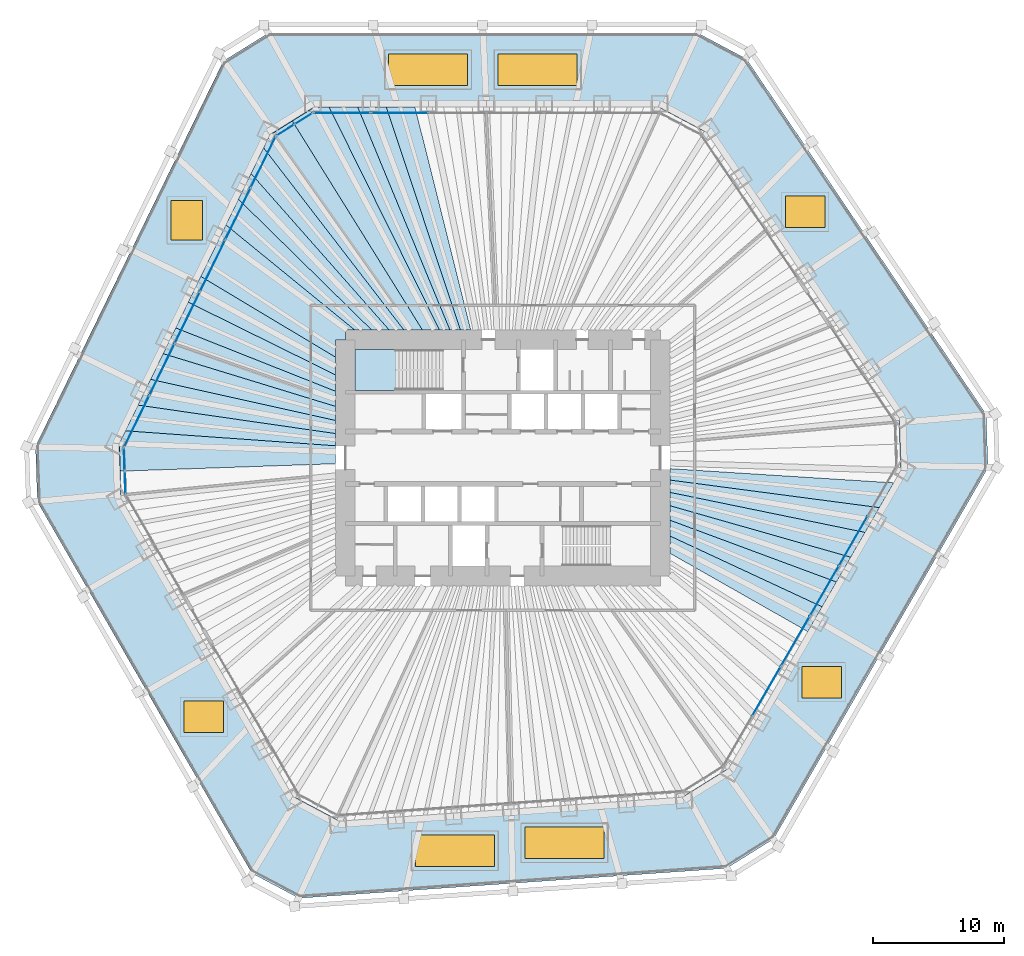
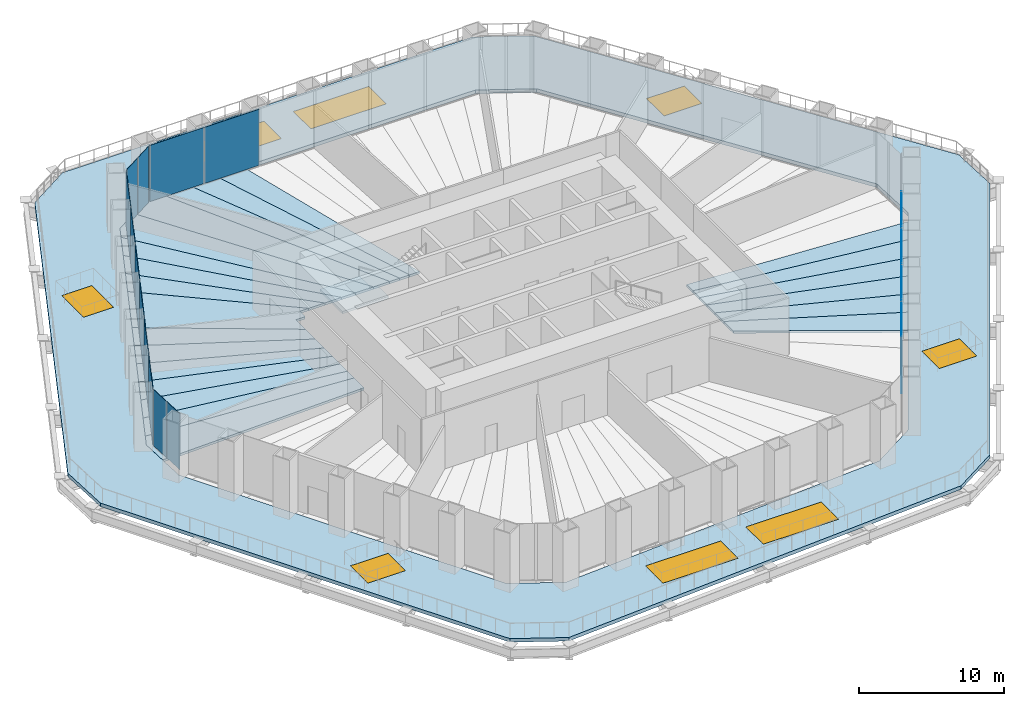
# One storey, part 13 of 20: 24 slabs, 16 plates, 8 windows, 8 openings, 6 elements without a shape of their own.
"""IFC4 building model written with IfcOpenShell, lengths in metres."""

from ifc_helpers import new_model, si_unit, direction, frame, origin, origin_2d, place, context, subcontext, project, spatial, polyline, rectangle, outline, extrude, material, layer, layer_set, type_object, element, fill, aggregate, save


model = new_model("IFC4")

# Units and contexts
model_context = context("Model", 3, precision=1e-05, world=origin(), true_north=direction((0.0, 1.0)))
body_context = subcontext(model_context, "Body", "Model", "MODEL_VIEW")
ifc_project = project(units=[si_unit("LENGTHUNIT", "METRE"), si_unit("AREAUNIT", "SQUARE_METRE"), si_unit("VOLUMEUNIT", "CUBIC_METRE"), si_unit("PLANEANGLEUNIT", "RADIAN"), si_unit("MASSUNIT", "GRAM", prefix="KILO")], contexts=[model_context])

# Site, building, storey
site_placement = place(None, origin())
site = spatial("IfcSite", under=ifc_project, at=site_placement, CompositionType="ELEMENT")
building_placement = place(site_placement, origin())
building = spatial("IfcBuilding", under=site, at=building_placement, Name="Qingtian Harvest Tower", CompositionType="ELEMENT")
storey_placement = place(building_placement, frame((0.0, 0.0, 17.0)))
storey = spatial("IfcBuildingStorey", under=building, at=storey_placement, Name="L03", CompositionType="ELEMENT", Elevation=17.0)

# Slabs
ifc_material_1 = material(Name="Concrete fc' 35 MPa", Category="concrete")
ifc_layer_1 = layer(ifc_material_1, 0.199951171875)
ifc_layer_set_1 = layer_set([ifc_layer_1], Name="Composite floor slab FS20 200")
slab_type_1 = type_object("IfcSlabType", Name="Composite floor slab FS20 200", PredefinedType="FLOOR", material=ifc_layer_set_1)
slab_1_placement = place(storey_placement, frame((0.0, 0.0, -0.199951171875)))
element("IfcSlab", 1, at=slab_1_placement, inside=storey, type_object=slab_type_1, Name="Floor slab L03 panel D33", PredefinedType="FLOOR", context=body_context, shape_type="SweptSolid", body=[
    extrude(outline(polyline([(12.75, -5.96142578125), (24.339111328125, -11.353515625), (23.247802734375, -13.243408203125), (12.75, -7.279052734375), (12.75, -5.96142578125)])), origin(), (0.0, 0.0, 1.0), 0.199951171875),
])
slab_2_placement = place(storey_placement, frame((0.0, 0.0, -0.199951171875)))
element("IfcSlab", 2, at=slab_2_placement, inside=storey, type_object=slab_type_1, Name="Floor slab L03 panel D34", PredefinedType="FLOOR", context=body_context, shape_type="SweptSolid", body=[
    extrude(outline(polyline([(12.75, -4.757080078125), (25.43017578125, -9.46337890625), (24.339111328125, -11.353515625), (12.75, -5.96142578125), (12.75, -4.757080078125)])), origin(), (0.0, 0.0, 1.0), 0.199951171875),
])
slab_3_placement = place(storey_placement, frame((0.0, 0.0, -0.199951171875)))
element("IfcSlab", 3, at=slab_3_placement, inside=storey, type_object=slab_type_1, Name="Floor slab L03 panel D35", PredefinedType="FLOOR", context=body_context, shape_type="SweptSolid", body=[
    extrude(outline(polyline([(12.75, -3.651611328125), (26.521484375, -7.573486328125), (25.43017578125, -9.46337890625), (12.75, -4.757080078125), (12.75, -3.651611328125)])), origin(), (0.0, 0.0, 1.0), 0.199951171875),
])
slab_4_placement = place(storey_placement, frame((0.0, 0.0, -0.199951171875)))
element("IfcSlab", 4, at=slab_4_placement, inside=storey, type_object=slab_type_1, Name="Floor slab L03 panel D36", PredefinedType="FLOOR", context=body_context, shape_type="SweptSolid", body=[
    extrude(outline(polyline([(12.75, -2.634033203125), (27.612548828125, -5.68359375), (26.521484375, -7.573486328125), (12.75, -3.651611328125), (12.75, -2.634033203125)])), origin(), (0.0, 0.0, 1.0), 0.199951171875),
])
slab_5_placement = place(storey_placement, frame((0.0, 0.0, -0.199951171875)))
element("IfcSlab", 5, at=slab_5_placement, inside=storey, type_object=slab_type_1, Name="Floor slab L03 panel D37", PredefinedType="FLOOR", context=body_context, shape_type="SweptSolid", body=[
    extrude(outline(polyline([(12.75, -1.693603515625), (28.703857421875, -3.793701171875), (27.612548828125, -5.68359375), (12.75, -2.634033203125), (12.75, -1.693603515625)])), origin(), (0.0, 0.0, 1.0), 0.199951171875),
])
slab_6_placement = place(storey_placement, frame((0.0, 0.0, -0.199951171875)))
element("IfcSlab", 6, at=slab_6_placement, inside=storey, type_object=slab_type_1, Name="Floor slab L03 panel D38", PredefinedType="FLOOR", context=body_context, shape_type="SweptSolid", body=[
    extrude(outline(polyline([(12.75, -0.822265625), (29.794921875, -1.903564453125), (28.703857421875, -3.793701171875), (12.75, -1.693603515625), (12.75, -0.822265625)])), origin(), (0.0, 0.0, 1.0), 0.199951171875),
])
slab_7_placement = place(storey_placement, frame((0.0, 0.0, -0.199951171875)))
element("IfcSlab", 7, at=slab_7_placement, inside=storey, type_object=slab_type_1, Name="Floor slab L03 panel D62", PredefinedType="FLOOR", context=body_context, shape_type="SweptSolid", body=[
    extrude(outline(polyline([(-3.237548828125, 9.75), (-8.88427734375, 26.7548828125), (-6.7021484375, 26.7548828125), (-2.4423828125, 9.75), (-3.237548828125, 9.75)])), origin(), (0.0, 0.0, 1.0), 0.199951171875),
])
slab_8_placement = place(storey_placement, frame((0.0, 0.0, -0.199951171875)))
element("IfcSlab", 8, at=slab_8_placement, inside=storey, type_object=slab_type_1, Name="Floor slab L03 panel D63", PredefinedType="FLOOR", context=body_context, shape_type="SweptSolid", body=[
    extrude(outline(polyline([(-4.032958984375, 9.75), (-11.066650390625, 26.7548828125), (-8.88427734375, 26.7548828125), (-3.237548828125, 9.75), (-4.032958984375, 9.75)])), origin(), (0.0, 0.0, 1.0), 0.199951171875),
])
slab_9_placement = place(storey_placement, frame((0.0, 0.0, -0.199951171875)))
element("IfcSlab", 9, at=slab_9_placement, inside=storey, type_object=slab_type_1, Name="Floor slab L03 panel D64", PredefinedType="FLOOR", context=body_context, shape_type="SweptSolid", body=[
    extrude(outline(polyline([(-4.828125, 9.75), (-13.2490234375, 26.7548828125), (-11.066650390625, 26.7548828125), (-4.032958984375, 9.75), (-4.828125, 9.75)])), origin(), (0.0, 0.0, 1.0), 0.199951171875),
])
slab_10_placement = place(storey_placement, frame((0.0, 0.0, -0.199951171875)))
element("IfcSlab", 10, at=slab_10_placement, inside=storey, type_object=slab_type_1, Name="Floor slab L03 panel D65", PredefinedType="FLOOR", context=body_context, shape_type="SweptSolid", body=[
    extrude(outline(polyline([(-4.828125, 9.75), (-6.130126953125, 9.75), (-16.044921875, 25.67626953125), (-14.318359375, 26.7548828125), (-13.2490234375, 26.7548828125), (-4.828125, 9.75)])), origin(), (0.0, 0.0, 1.0), 0.199951171875),
])
slab_11_placement = place(storey_placement, frame((0.0, 0.0, -0.199951171875)))
element("IfcSlab", 11, at=slab_11_placement, inside=storey, type_object=slab_type_1, Name="Floor slab L03 panel D66", PredefinedType="FLOOR", context=body_context, shape_type="SweptSolid", body=[
    extrude(outline(polyline([(-6.130126953125, 9.75), (-7.544677734375, 9.75), (-18.239501953125, 23.636474609375), (-17.7705078125, 24.597900390625), (-16.044921875, 25.67626953125), (-6.130126953125, 9.75)])), origin(), (0.0, 0.0, 1.0), 0.199951171875),
])
slab_12_placement = place(storey_placement, frame((0.0, 0.0, -0.199951171875)))
element("IfcSlab", 12, at=slab_12_placement, inside=storey, type_object=slab_type_1, Name="Floor slab L03 panel D67", PredefinedType="FLOOR", context=body_context, shape_type="SweptSolid", body=[
    extrude(outline(polyline([(-8.662109375, 9.75), (-19.196044921875, 21.675048828125), (-18.239501953125, 23.636474609375), (-7.544677734375, 9.75), (-8.662109375, 9.75)])), origin(), (0.0, 0.0, 1.0), 0.199951171875),
])
slab_13_placement = place(storey_placement, frame((0.0, 0.0, -0.199951171875)))
element("IfcSlab", 13, at=slab_13_placement, inside=storey, type_object=slab_type_1, Name="Floor slab L03 panel D68", PredefinedType="FLOOR", context=body_context, shape_type="SweptSolid", body=[
    extrude(outline(polyline([(-10.00341796875, 9.75), (-20.15283203125, 19.71337890625), (-19.196044921875, 21.675048828125), (-8.662109375, 9.75), (-10.00341796875, 9.75)])), origin(), (0.0, 0.0, 1.0), 0.199951171875),
])
slab_14_placement = place(storey_placement, frame((0.0, 0.0, -0.199951171875)))
element("IfcSlab", 14, at=slab_14_placement, inside=storey, type_object=slab_type_1, Name="Floor slab L03 panel D69", PredefinedType="FLOOR", context=body_context, shape_type="SweptSolid", body=[
    extrude(outline(polyline([(-11.2939453125, 9.75), (-21.107666015625, 17.755859375), (-20.15283203125, 19.71337890625), (-10.00341796875, 9.75), (-11.2939453125, 9.75)])), origin(), (0.0, 0.0, 1.0), 0.199951171875),
])
slab_15_placement = place(storey_placement, frame((0.0, 0.0, -0.199951171875)))
element("IfcSlab", 15, at=slab_15_placement, inside=storey, type_object=slab_type_1, Name="Floor slab L03 panel D70", PredefinedType="FLOOR", context=body_context, shape_type="SweptSolid", body=[
    extrude(outline(polyline([(-12.0, 9.0), (-12.75, 9.0), (-12.75, 7.67333984375), (-23.0224609375, 13.82958984375), (-21.107666015625, 17.755859375), (-11.2939453125, 9.75), (-12.0, 9.75), (-12.0, 9.0)])), origin(), (0.0, 0.0, 1.0), 0.199951171875),
])
slab_16_placement = place(storey_placement, frame((0.0, 0.0, -0.199951171875)))
element("IfcSlab", 16, at=slab_16_placement, inside=storey, type_object=slab_type_1, Name="Floor slab L03 panel D72", PredefinedType="FLOOR", context=body_context, shape_type="SweptSolid", body=[
    extrude(outline(polyline([(-12.75, 6.3232421875), (-23.979248046875, 11.8681640625), (-23.0224609375, 13.82958984375), (-12.75, 7.67333984375), (-12.75, 6.3232421875)])), origin(), (0.0, 0.0, 1.0), 0.199951171875),
])
slab_17_placement = place(storey_placement, frame((0.0, 0.0, -0.199951171875)))
element("IfcSlab", 17, at=slab_17_placement, inside=storey, type_object=slab_type_1, Name="Floor slab L03 panel D73", PredefinedType="FLOOR", context=body_context, shape_type="SweptSolid", body=[
    extrude(outline(polyline([(-12.75, 5.076904296875), (-24.935791015625, 9.90673828125), (-23.979248046875, 11.8681640625), (-12.75, 6.3232421875), (-12.75, 5.076904296875)])), origin(), (0.0, 0.0, 1.0), 0.199951171875),
])
slab_18_placement = place(storey_placement, frame((0.0, 0.0, -0.199951171875)))
element("IfcSlab", 18, at=slab_18_placement, inside=storey, type_object=slab_type_1, Name="Floor slab L03 panel D74", PredefinedType="FLOOR", context=body_context, shape_type="SweptSolid", body=[
    extrude(outline(polyline([(-12.75, 3.922607421875), (-25.892578125, 7.9453125), (-24.935791015625, 9.90673828125), (-12.75, 5.076904296875), (-12.75, 3.922607421875)])), origin(), (0.0, 0.0, 1.0), 0.199951171875),
])
slab_19_placement = place(storey_placement, frame((0.0, 0.0, -0.199951171875)))
element("IfcSlab", 19, at=slab_19_placement, inside=storey, type_object=slab_type_1, Name="Floor slab L03 panel D75", PredefinedType="FLOOR", context=body_context, shape_type="SweptSolid", body=[
    extrude(outline(polyline([(-12.75, 2.8505859375), (-26.84912109375, 5.98388671875), (-25.892578125, 7.9453125), (-12.75, 3.922607421875), (-12.75, 2.8505859375)])), origin(), (0.0, 0.0, 1.0), 0.199951171875),
])
slab_20_placement = place(storey_placement, frame((0.0, 0.0, -0.199951171875)))
element("IfcSlab", 20, at=slab_20_placement, inside=storey, type_object=slab_type_1, Name="Floor slab L03 panel D76", PredefinedType="FLOOR", context=body_context, shape_type="SweptSolid", body=[
    extrude(outline(polyline([(-12.75, 1.8525390625), (-27.805908203125, 4.022216796875), (-26.84912109375, 5.98388671875), (-12.75, 2.8505859375), (-12.75, 1.8525390625)])), origin(), (0.0, 0.0, 1.0), 0.199951171875),
])
slab_21_placement = place(storey_placement, frame((0.0, 0.0, -0.199951171875)))
element("IfcSlab", 21, at=slab_21_placement, inside=storey, type_object=slab_type_1, Name="Floor slab L03 panel D77", PredefinedType="FLOOR", context=body_context, shape_type="SweptSolid", body=[
    extrude(outline(polyline([(-12.75, 0.9208984375), (-28.762451171875, 2.060791015625), (-27.805908203125, 4.022216796875), (-12.75, 1.8525390625), (-12.75, 0.9208984375)])), origin(), (0.0, 0.0, 1.0), 0.199951171875),
])
slab_22_placement = place(storey_placement, frame((0.0, 0.0, -0.199951171875)))
element("IfcSlab", 22, at=slab_22_placement, inside=storey, type_object=slab_type_1, Name="Floor slab L03 panel D78", PredefinedType="FLOOR", context=body_context, shape_type="SweptSolid", body=[
    extrude(outline(polyline([(-12.75, 0.9208984375), (-12.75, -0.447509765625), (-29.157470703125, -1.018310546875), (-29.2314453125, 1.099609375), (-28.762451171875, 2.060791015625), (-12.75, 0.9208984375)])), origin(), (0.0, 0.0, 1.0), 0.199951171875),
])

# Curtain wall, plates
ifc_material_2 = material(Name="Bronze-anodised aluminium curtain wall", Category="aluminium")
curtain_wall_type = type_object("IfcCurtainWallType", Name="Curtain wall CW2 farm reception", PredefinedType="USERDEFINED", material=ifc_material_2)
curtain_wall_1_placement = place(storey_placement, origin())
curtain_wall_1 = element("IfcCurtainWall", 23, at=curtain_wall_1_placement, inside=storey, type_object=curtain_wall_type, Name="Curtain wall CW2 L03 N0-5", ObjectType="RECESSED CURTAIN WALL", PredefinedType="USERDEFINED")
ifc_material_3 = material(Name="Bronze-tinted laminated insulating glass", Category="glass")
ifc_layer_2 = layer(ifc_material_3, 0.030029296875)
ifc_layer_set_2 = layer_set([ifc_layer_2], Name="Glazed panel CWP tinted IGU")
plate_type = type_object("IfcPlateType", Name="Glazed panel CWP tinted IGU", PredefinedType="CURTAIN_PANEL", material=ifc_layer_set_2)
plate_1_placement = place(storey_placement, frame((-12.2529296875, 26.300048828125, 0.06494140625), z_axis=(0.0, 0.0, 1.0), x_axis=(1.0, 0.0, 0.0)))
plate_1 = element("IfcPlate", 24, at=plate_1_placement, type_object=plate_type, Name="CW2 panel 1.1", PredefinedType="CURTAIN_PANEL", context=body_context, shape_type="SweptSolid", body=[
    extrude(rectangle(XDim=4.30712890625, YDim=0.030029296875, at=origin_2d()), origin(), (0.0, 0.0, 1.0), 4.735107421875),
])
plate_2_placement = place(storey_placement, frame((-7.864501953125, 26.300048828125, 0.06494140625), z_axis=(0.0, 0.0, 1.0), x_axis=(1.0, 0.0, 0.0)))
plate_2 = element("IfcPlate", 25, at=plate_2_placement, type_object=plate_type, Name="CW2 panel 2.1", PredefinedType="CURTAIN_PANEL", context=body_context, shape_type="SweptSolid", body=[
    extrude(rectangle(XDim=4.339599609375, YDim=0.030029296875, at=origin_2d()), origin(), (0.0, 0.0, 1.0), 4.735107421875),
])
aggregate(curtain_wall_1, [plate_1, plate_2])

curtain_wall_2_placement = place(storey_placement, origin())
curtain_wall_2 = element("IfcCurtainWall", 26, at=curtain_wall_2_placement, inside=storey, type_object=curtain_wall_type, Name="Curtain wall CW2 L03 SE0-5", ObjectType="RECESSED CURTAIN WALL", PredefinedType="USERDEFINED")
plate_3_placement = place(storey_placement, frame((26.708740234375, -6.339111328125, 0.06494140625), z_axis=(0.0, 0.0, 1.0), x_axis=(-0.5, -0.866025403784, 0.0)))
plate_3 = element("IfcPlate", 27, at=plate_3_placement, type_object=plate_type, Name="CW2 panel 2.1", PredefinedType="CURTAIN_PANEL", context=body_context, shape_type="SweptSolid", body=[
    extrude(rectangle(XDim=4.339599609375, YDim=0.030029296875, at=origin_2d()), origin(), (0.0, 0.0, 1.0), 4.735107421875),
])
plate_4_placement = place(storey_placement, frame((24.50634765625, -10.153564453125, 0.06494140625), z_axis=(0.0, 0.0, 1.0), x_axis=(-0.5, -0.866025403784, 0.0)))
plate_4 = element("IfcPlate", 28, at=plate_4_placement, type_object=plate_type, Name="CW2 panel 3.1", PredefinedType="CURTAIN_PANEL", context=body_context, shape_type="SweptSolid", body=[
    extrude(rectangle(XDim=4.339599609375, YDim=0.030029296875, at=origin_2d()), origin(), (0.0, 0.0, 1.0), 4.735107421875),
])
plate_5_placement = place(storey_placement, frame((22.30419921875, -13.968017578125, 0.06494140625), z_axis=(0.0, 0.0, 1.0), x_axis=(-0.5, -0.866025403784, 0.0)))
plate_5 = element("IfcPlate", 29, at=plate_5_placement, type_object=plate_type, Name="CW2 panel 4.1", PredefinedType="CURTAIN_PANEL", context=body_context, shape_type="SweptSolid", body=[
    extrude(rectangle(XDim=4.339599609375, YDim=0.030029296875, at=origin_2d()), origin(), (0.0, 0.0, 1.0), 4.735107421875),
])
plate_6_placement = place(storey_placement, frame((20.101806640625, -17.782470703125, 0.06494140625), z_axis=(0.0, 0.0, 1.0), x_axis=(-0.5, -0.866025403784, 0.0)))
plate_6 = element("IfcPlate", 30, at=plate_6_placement, type_object=plate_type, Name="CW2 panel 5.1", PredefinedType="CURTAIN_PANEL", context=body_context, shape_type="SweptSolid", body=[
    extrude(rectangle(XDim=4.339599609375, YDim=0.030029296875, at=origin_2d()), origin(), (0.0, 0.0, 1.0), 4.735107421875),
])
aggregate(curtain_wall_2, [plate_3, plate_4, plate_5, plate_6])

curtain_wall_3_placement = place(storey_placement, origin())
curtain_wall_3 = element("IfcCurtainWall", 31, at=curtain_wall_3_placement, inside=storey, type_object=curtain_wall_type, Name="Curtain wall CW2 L03 SWC", ObjectType="RECESSED CURTAIN WALL", PredefinedType="USERDEFINED")
plate_7_placement = place(storey_placement, frame((-28.786376953125, -1.884765625, 0.06494140625), z_axis=(0.0, 0.0, 1.0), x_axis=(-0.034899496703, 0.999390827019, 0.0)))
plate_7 = element("IfcPlate", 32, at=plate_7_placement, type_object=plate_type, Name="CW2 panel 1.1", PredefinedType="CURTAIN_PANEL", context=body_context, shape_type="SweptSolid", body=[
    extrude(rectangle(XDim=1.69287109375, YDim=0.030029296875, at=origin_2d()), origin(), (0.0, 0.0, 1.0), 4.735107421875),
])
plate_8_placement = place(storey_placement, frame((-28.84765625, -0.1279296875, 0.06494140625), z_axis=(0.0, 0.0, 1.0), x_axis=(-0.034899496703, 0.999390827019, 0.0)))
plate_8 = element("IfcPlate", 33, at=plate_8_placement, type_object=plate_type, Name="CW2 panel 2.1", PredefinedType="CURTAIN_PANEL", context=body_context, shape_type="SweptSolid", body=[
    extrude(rectangle(XDim=1.69287109375, YDim=0.030029296875, at=origin_2d()), origin(), (0.0, 0.0, 1.0), 4.735107421875),
])
aggregate(curtain_wall_3, [plate_7, plate_8])

curtain_wall_4_placement = place(storey_placement, origin())
curtain_wall_4 = element("IfcCurtainWall", 34, at=curtain_wall_4_placement, inside=storey, type_object=curtain_wall_type, Name="Curtain wall CW2 L03 NW0-5", ObjectType="RECESSED CURTAIN WALL", PredefinedType="USERDEFINED")
plate_9_placement = place(storey_placement, frame((-27.906982421875, 2.777099609375, 0.06494140625), z_axis=(0.0, 0.0, 1.0), x_axis=(0.438371146789, 0.898794046299, 0.0)))
plate_9 = element("IfcPlate", 35, at=plate_9_placement, type_object=plate_type, Name="CW2 panel 1.1", PredefinedType="CURTAIN_PANEL", context=body_context, shape_type="SweptSolid", body=[
    extrude(rectangle(XDim=4.30712890625, YDim=0.030029296875, at=origin_2d()), origin(), (0.0, 0.0, 1.0), 4.735107421875),
])
plate_10_placement = place(storey_placement, frame((-25.983154296875, 6.72119140625, 0.06494140625), z_axis=(0.0, 0.0, 1.0), x_axis=(0.438371146789, 0.898794046299, 0.0)))
plate_10 = element("IfcPlate", 36, at=plate_10_placement, type_object=plate_type, Name="CW2 panel 2.1", PredefinedType="CURTAIN_PANEL", context=body_context, shape_type="SweptSolid", body=[
    extrude(rectangle(XDim=4.339599609375, YDim=0.030029296875, at=origin_2d()), origin(), (0.0, 0.0, 1.0), 4.735107421875),
])
plate_11_placement = place(storey_placement, frame((-24.052490234375, 10.68017578125, 0.06494140625), z_axis=(0.0, 0.0, 1.0), x_axis=(0.438371146789, 0.898794046299, 0.0)))
plate_11 = element("IfcPlate", 37, at=plate_11_placement, type_object=plate_type, Name="CW2 panel 3.1", PredefinedType="CURTAIN_PANEL", context=body_context, shape_type="SweptSolid", body=[
    extrude(rectangle(XDim=4.339599609375, YDim=0.030029296875, at=origin_2d()), origin(), (0.0, 0.0, 1.0), 4.735107421875),
])
plate_12_placement = place(storey_placement, frame((-22.12158203125, 14.638916015625, 0.06494140625), z_axis=(0.0, 0.0, 1.0), x_axis=(0.438371146789, 0.898794046299, 0.0)))
plate_12 = element("IfcPlate", 38, at=plate_12_placement, type_object=plate_type, Name="CW2 panel 4.1", PredefinedType="CURTAIN_PANEL", context=body_context, shape_type="SweptSolid", body=[
    extrude(rectangle(XDim=4.339599609375, YDim=0.030029296875, at=origin_2d()), origin(), (0.0, 0.0, 1.0), 4.735107421875),
])
plate_13_placement = place(storey_placement, frame((-20.190673828125, 18.597900390625, 0.06494140625), z_axis=(0.0, 0.0, 1.0), x_axis=(0.438371146789, 0.898794046299, 0.0)))
plate_13 = element("IfcPlate", 39, at=plate_13_placement, type_object=plate_type, Name="CW2 panel 5.1", PredefinedType="CURTAIN_PANEL", context=body_context, shape_type="SweptSolid", body=[
    extrude(rectangle(XDim=4.339599609375, YDim=0.030029296875, at=origin_2d()), origin(), (0.0, 0.0, 1.0), 4.735107421875),
])
plate_14_placement = place(storey_placement, frame((-18.266845703125, 22.5419921875, 0.06494140625), z_axis=(0.0, 0.0, 1.0), x_axis=(0.438371146789, 0.898794046299, 0.0)))
plate_14 = element("IfcPlate", 40, at=plate_14_placement, type_object=plate_type, Name="CW2 panel 6.1", PredefinedType="CURTAIN_PANEL", context=body_context, shape_type="SweptSolid", body=[
    extrude(rectangle(XDim=4.30712890625, YDim=0.030029296875, at=origin_2d()), origin(), (0.0, 0.0, 1.0), 4.735107421875),
])
aggregate(curtain_wall_4, [plate_9, plate_10, plate_11, plate_12, plate_13, plate_14])

curtain_wall_5_placement = place(storey_placement, origin())
curtain_wall_5 = element("IfcCurtainWall", 41, at=curtain_wall_5_placement, inside=storey, type_object=curtain_wall_type, Name="Curtain wall CW2 L03 NWC", ObjectType="RECESSED CURTAIN WALL", PredefinedType="USERDEFINED")
plate_15_placement = place(storey_placement, frame((-16.574951171875, 24.985595703125, 0.06494140625), z_axis=(0.0, 0.0, 1.0), x_axis=(0.848048096156, 0.529919264233, 0.0)))
plate_15 = element("IfcPlate", 42, at=plate_15_placement, type_object=plate_type, Name="CW2 panel 1.1", PredefinedType="CURTAIN_PANEL", context=body_context, shape_type="SweptSolid", body=[
    extrude(rectangle(XDim=1.56689453125, YDim=0.030029296875, at=origin_2d()), origin(), (0.0, 0.0, 1.0), 4.735107421875),
])
plate_16_placement = place(storey_placement, frame((-15.19091796875, 25.850341796875, 0.06494140625), z_axis=(0.0, 0.0, 1.0), x_axis=(0.848048096156, 0.529919264233, 0.0)))
plate_16 = element("IfcPlate", 43, at=plate_16_placement, type_object=plate_type, Name="CW2 panel 2.1", PredefinedType="CURTAIN_PANEL", context=body_context, shape_type="SweptSolid", body=[
    extrude(rectangle(XDim=1.56689453125, YDim=0.030029296875, at=origin_2d()), origin(), (0.0, 0.0, 1.0), 4.735107421875),
])
aggregate(curtain_wall_5, [plate_15, plate_16])

# Slab, openings, windows
ifc_material_4 = material(Name="Concrete fc' 35 MPa", Category="concrete")
ifc_layer_3 = layer(ifc_material_4, 0.300048828125)
ifc_layer_set_3 = layer_set([ifc_layer_3], Name="Podium roof terrace slab TS30 300")
slab_type_2 = type_object("IfcSlabType", Name="Podium roof terrace slab TS30 300", PredefinedType="ROOF", material=ifc_layer_set_3)
slab_23_placement = place(storey_placement, frame((0.0, 0.0, -0.300048828125)))
slab_23 = element("IfcSlab", 44, at=slab_23_placement, inside=storey, type_object=slab_type_2, Name="Podium roof terrace", PredefinedType="ROOF", context=body_context, shape_type="SweptSolid", body=[
    extrude(outline(polyline([(18.5693359375, 30.410400390625), (36.840087890625, 3.322998046875), (36.982177734375, -0.7451171875), (20.6455078125, -29.040771484375), (17.05126953125, -31.286865234375), (-15.542236328125, -33.56591796875), (-19.13623046875, -31.65478515625), (-35.472900390625, -3.359130859375), (-35.620849609375, 0.87646484375), (-21.2978515625, 30.242919921875), (-17.845703125, 32.39990234375), (14.827392578125, 32.39990234375), (18.5693359375, 30.410400390625)]), holes=[polyline([(-17.63720703125, -22.961181640625), (-16.546142578125, -24.851318359375), (-16.01123046875, -25.777587890625), (-14.214599609375, -26.73291015625), (-12.417236328125, -27.688720703125), (-11.350341796875, -27.614013671875), (-9.17333984375, -27.4619140625), (-6.996337890625, -27.3095703125), (-4.8193359375, -27.1572265625), (-2.642333984375, -27.005126953125), (-0.46533203125, -26.852783203125), (1.711669921875, -26.70068359375), (3.888671875, -26.54833984375), (6.065673828125, -26.396240234375), (8.24267578125, -26.243896484375), (10.419677734375, -26.091796875), (12.5966796875, -25.939453125), (13.663330078125, -25.864990234375), (15.4609375, -24.74169921875), (17.257568359375, -23.618896484375), (17.79248046875, -22.692626953125), (18.883544921875, -20.802734375), (19.974853515625, -18.91259765625), (22.159423828125, -15.128662109375), (23.247802734375, -13.243408203125), (24.339111328125, -11.353515625), (25.43017578125, -9.46337890625), (26.521484375, -7.573486328125), (27.612548828125, -5.68359375), (28.703857421875, -3.793701171875), (29.794921875, -1.903564453125), (30.32958984375, -0.9775390625), (30.2587890625, 1.056640625), (30.187744140625, 3.0908203125), (29.589599609375, 3.977294921875), (28.369140625, 5.78662109375), (27.14892578125, 7.595947265625), (25.928466796875, 9.405029296875), (24.708251953125, 11.21435546875), (23.48779296875, 13.023681640625), (22.26953125, 14.829833984375), (19.8271484375, 18.45068359375), (18.60693359375, 20.260009765625), (17.386474609375, 22.0693359375), (16.166015625, 23.87841796875), (15.56787109375, 24.765380859375), (13.697265625, 25.760009765625), (11.825927734375, 26.7548828125), (10.756591796875, 26.7548828125), (8.57421875, 26.7548828125), (6.391845703125, 26.7548828125), (4.20947265625, 26.7548828125), (2.02734375, 26.7548828125), (-0.155029296875, 26.7548828125), (-2.33740234375, 26.7548828125), (-4.519775390625, 26.7548828125), (-6.7021484375, 26.7548828125), (-8.88427734375, 26.7548828125), (-11.066650390625, 26.7548828125), (-13.2490234375, 26.7548828125), (-14.318359375, 26.7548828125), (-16.044921875, 25.67626953125), (-17.7705078125, 24.597900390625), (-18.239501953125, 23.636474609375), (-19.196044921875, 21.675048828125), (-20.15283203125, 19.71337890625), (-21.107666015625, 17.755859375), (-23.0224609375, 13.82958984375), (-23.979248046875, 11.8681640625), (-24.935791015625, 9.90673828125), (-25.892578125, 7.9453125), (-26.84912109375, 5.98388671875), (-27.805908203125, 4.022216796875), (-28.762451171875, 2.060791015625), (-29.2314453125, 1.099609375), (-29.157470703125, -1.018310546875), (-29.08349609375, -3.135986328125), (-28.548583984375, -4.062255859375), (-27.45751953125, -5.9521484375), (-26.366455078125, -7.842041015625), (-25.275146484375, -9.732177734375), (-24.18408203125, -11.6220703125), (-23.0927734375, -13.511962890625), (-22.00537109375, -15.3955078125), (-19.81982421875, -19.18115234375), (-18.728515625, -21.0712890625), (-17.63720703125, -22.961181640625)])]), origin(), (0.0, 0.0, 1.0), 0.300048828125),
])
opening_1_placement = place(slab_23_placement, frame((-5.699951171875, 29.60009765625, 0.0)))
opening_1 = element("IfcOpeningElement", 45, at=opening_1_placement, cuts=slab_23, Name="Opening SK1", PredefinedType="OPENING", context=body_context, shape_type="SweptSolid", body=[
    extrude(rectangle(XDim=6.0, YDim=2.39990234375, at=origin_2d()), origin(), (0.0, 0.0, 1.0), 0.300048828125),
])
opening_2_placement = place(slab_23_placement, frame((2.64990234375, 29.60009765625, 0.0)))
opening_2 = element("IfcOpeningElement", 46, at=opening_2_placement, cuts=slab_23, Name="Opening SK1", PredefinedType="OPENING", context=body_context, shape_type="SweptSolid", body=[
    extrude(rectangle(XDim=6.0, YDim=2.39990234375, at=origin_2d()), origin(), (0.0, 0.0, 1.0), 0.300048828125),
])
opening_3_placement = place(slab_23_placement, frame((4.699951171875, -29.35009765625, 0.0)))
opening_3 = element("IfcOpeningElement", 47, at=opening_3_placement, cuts=slab_23, Name="Opening SK1", PredefinedType="OPENING", context=body_context, shape_type="SweptSolid", body=[
    extrude(rectangle(XDim=6.0, YDim=2.39990234375, at=origin_2d()), origin(), (0.0, 0.0, 1.0), 0.300048828125),
])
opening_4_placement = place(slab_23_placement, frame((-3.64990234375, -29.949951171875, 0.0)))
opening_4 = element("IfcOpeningElement", 48, at=opening_4_placement, cuts=slab_23, Name="Opening SK1", PredefinedType="OPENING", context=body_context, shape_type="SweptSolid", body=[
    extrude(rectangle(XDim=6.0, YDim=2.39990234375, at=origin_2d()), origin(), (0.0, 0.0, 1.0), 0.300048828125),
])
opening_5_placement = place(slab_23_placement, frame((23.050048828125, 18.75, 0.0)))
opening_5 = element("IfcOpeningElement", 49, at=opening_5_placement, cuts=slab_23, Name="Opening SK2", PredefinedType="OPENING", context=body_context, shape_type="SweptSolid", body=[
    extrude(rectangle(XDim=3.0, YDim=2.39990234375, at=origin_2d()), origin(), (0.0, 0.0, 1.0), 0.300048828125),
])
opening_6_placement = place(slab_23_placement, frame((24.300048828125, -17.10009765625, 0.0)))
opening_6 = element("IfcOpeningElement", 50, at=opening_6_placement, cuts=slab_23, Name="Opening SK2", PredefinedType="OPENING", context=body_context, shape_type="SweptSolid", body=[
    extrude(rectangle(XDim=3.0, YDim=2.39990234375, at=origin_2d()), origin(), (0.0, 0.0, 1.0), 0.300048828125),
])
opening_7_placement = place(slab_23_placement, frame((-22.800048828125, -19.75, 0.0)))
opening_7 = element("IfcOpeningElement", 51, at=opening_7_placement, cuts=slab_23, Name="Opening SK2", PredefinedType="OPENING", context=body_context, shape_type="SweptSolid", body=[
    extrude(rectangle(XDim=3.0, YDim=2.39990234375, at=origin_2d()), origin(), (0.0, 0.0, 1.0), 0.300048828125),
])
opening_8_placement = place(slab_23_placement, frame((-24.10009765625, 18.10009765625, 0.0)))
opening_8 = element("IfcOpeningElement", 52, at=opening_8_placement, cuts=slab_23, Name="Opening SK2", PredefinedType="OPENING", context=body_context, shape_type="SweptSolid", body=[
    extrude(rectangle(XDim=2.39990234375, YDim=3.0, at=origin_2d()), origin(), (0.0, 0.0, 1.0), 0.300048828125),
])
ifc_material_5 = material(Name="Laminated glass rooflight on aluminium curb", Category="aluminium")
window_type_1 = type_object("IfcWindowType", Name="Rooflight SK1 6000x2400", PartitioningType="SINGLE_PANEL", PredefinedType="SKYLIGHT", material=ifc_material_5)
window_1_placement = place(opening_1_placement, frame((0.0, 0.0, 0.25)))
window_1 = element("IfcWindow", 53, at=window_1_placement, inside=storey, type_object=window_type_1, Name="Rooflight SK1 N1", OverallHeight=2.39990234375, OverallWidth=6.0, PartitioningType="SINGLE_PANEL", PredefinedType="SKYLIGHT", context=body_context, shape_type="SweptSolid", body=[
    extrude(rectangle(XDim=6.0, YDim=2.39990234375, at=origin_2d()), origin(), (0.0, 0.0, 1.0), 0.050048828125),
])
fill(opening_1, window_1)
window_2_placement = place(opening_2_placement, frame((0.0, 0.0, 0.25)))
window_2 = element("IfcWindow", 54, at=window_2_placement, inside=storey, type_object=window_type_1, Name="Rooflight SK1 N2", OverallHeight=2.39990234375, OverallWidth=6.0, PartitioningType="SINGLE_PANEL", PredefinedType="SKYLIGHT", context=body_context, shape_type="SweptSolid", body=[
    extrude(rectangle(XDim=6.0, YDim=2.39990234375, at=origin_2d()), origin(), (0.0, 0.0, 1.0), 0.050048828125),
])
fill(opening_2, window_2)
window_3_placement = place(opening_3_placement, frame((0.0, 0.0, 0.25)))
window_3 = element("IfcWindow", 55, at=window_3_placement, inside=storey, type_object=window_type_1, Name="Rooflight SK1 S1", OverallHeight=2.39990234375, OverallWidth=6.0, PartitioningType="SINGLE_PANEL", PredefinedType="SKYLIGHT", context=body_context, shape_type="SweptSolid", body=[
    extrude(rectangle(XDim=6.0, YDim=2.39990234375, at=origin_2d()), origin(), (0.0, 0.0, 1.0), 0.050048828125),
])
fill(opening_3, window_3)
window_4_placement = place(opening_4_placement, frame((0.0, 0.0, 0.25)))
window_4 = element("IfcWindow", 56, at=window_4_placement, inside=storey, type_object=window_type_1, Name="Rooflight SK1 S2", OverallHeight=2.39990234375, OverallWidth=6.0, PartitioningType="SINGLE_PANEL", PredefinedType="SKYLIGHT", context=body_context, shape_type="SweptSolid", body=[
    extrude(rectangle(XDim=6.0, YDim=2.39990234375, at=origin_2d()), origin(), (0.0, 0.0, 1.0), 0.050048828125),
])
fill(opening_4, window_4)
ifc_material_6 = material(Name="Laminated glass rooflight on aluminium curb", Category="aluminium")
window_type_2 = type_object("IfcWindowType", Name="Rooflight SK2 3000x2400", PartitioningType="SINGLE_PANEL", PredefinedType="SKYLIGHT", material=ifc_material_6)
window_5_placement = place(opening_5_placement, frame((0.0, 0.0, 0.25)))
window_5 = element("IfcWindow", 57, at=window_5_placement, inside=storey, type_object=window_type_2, Name="Rooflight SK2 NE1", OverallHeight=2.39990234375, OverallWidth=3.0, PartitioningType="SINGLE_PANEL", PredefinedType="SKYLIGHT", context=body_context, shape_type="SweptSolid", body=[
    extrude(rectangle(XDim=3.0, YDim=2.39990234375, at=origin_2d()), origin(), (0.0, 0.0, 1.0), 0.050048828125),
])
fill(opening_5, window_5)
window_6_placement = place(opening_6_placement, frame((0.0, 0.0, 0.25)))
window_6 = element("IfcWindow", 58, at=window_6_placement, inside=storey, type_object=window_type_2, Name="Rooflight SK2 SE2", OverallHeight=2.39990234375, OverallWidth=3.0, PartitioningType="SINGLE_PANEL", PredefinedType="SKYLIGHT", context=body_context, shape_type="SweptSolid", body=[
    extrude(rectangle(XDim=3.0, YDim=2.39990234375, at=origin_2d()), origin(), (0.0, 0.0, 1.0), 0.050048828125),
])
fill(opening_6, window_6)
window_7_placement = place(opening_7_placement, frame((0.0, 0.0, 0.25)))
window_7 = element("IfcWindow", 59, at=window_7_placement, inside=storey, type_object=window_type_2, Name="Rooflight SK2 SW1", OverallHeight=2.39990234375, OverallWidth=3.0, PartitioningType="SINGLE_PANEL", PredefinedType="SKYLIGHT", context=body_context, shape_type="SweptSolid", body=[
    extrude(rectangle(XDim=3.0, YDim=2.39990234375, at=origin_2d()), origin(), (0.0, 0.0, 1.0), 0.050048828125),
])
fill(opening_7, window_7)
window_8_placement = place(opening_8_placement, frame((0.0, 0.0, 0.25)))
window_8 = element("IfcWindow", 60, at=window_8_placement, inside=storey, type_object=window_type_2, Name="Rooflight SK2 NW2", OverallHeight=3.0, OverallWidth=2.39990234375, PartitioningType="SINGLE_PANEL", PredefinedType="SKYLIGHT", context=body_context, shape_type="SweptSolid", body=[
    extrude(rectangle(XDim=2.39990234375, YDim=3.0, at=origin_2d()), origin(), (0.0, 0.0, 1.0), 0.050048828125),
])
fill(opening_8, window_8)

# Stair, slab
ifc_material_7 = material(Name="Concrete fc' 35 MPa", Category="concrete")
stair_type = type_object("IfcStairType", Name="Special stair ST2 5000", PredefinedType="HALF_TURN_STAIR", material=ifc_material_7)
stair_placement = place(storey_placement, origin())
stair = element("IfcStair", 61, at=stair_placement, inside=storey, type_object=stair_type, Name="Special stair S1 L03", PredefinedType="HALF_TURN_STAIR")
ifc_material_8 = material(Name="Concrete fc' 35 MPa", Category="concrete")
ifc_layer_4 = layer(ifc_material_8, 0.199951171875)
ifc_layer_set_4 = layer_set([ifc_layer_4], Name="Stair landing SL2 200")
slab_type_3 = type_object("IfcSlabType", Name="Stair landing SL2 200", PredefinedType="LANDING", material=ifc_layer_set_4)
slab_24_placement = place(storey_placement, frame((0.0, 0.0, 2.300048828125)))
slab_24 = element("IfcSlab", 62, at=slab_24_placement, type_object=slab_type_3, Name="S1 landing 2", PredefinedType="LANDING", context=body_context, shape_type="SweptSolid", body=[
    extrude(outline(polyline([(-7.5849609375, 5.14990234375), (-11.25, 5.14990234375), (-11.25, 8.25), (-8.090087890625, 8.25), (-8.090087890625, 6.75), (-8.18994140625, 6.75), (-8.18994140625, 6.64990234375), (-7.5849609375, 6.64990234375), (-7.5849609375, 5.14990234375)])), origin(), (0.0, 0.0, 1.0), 0.199951171875),
])
aggregate(stair, [slab_24])

save(model, "model.ifc")
